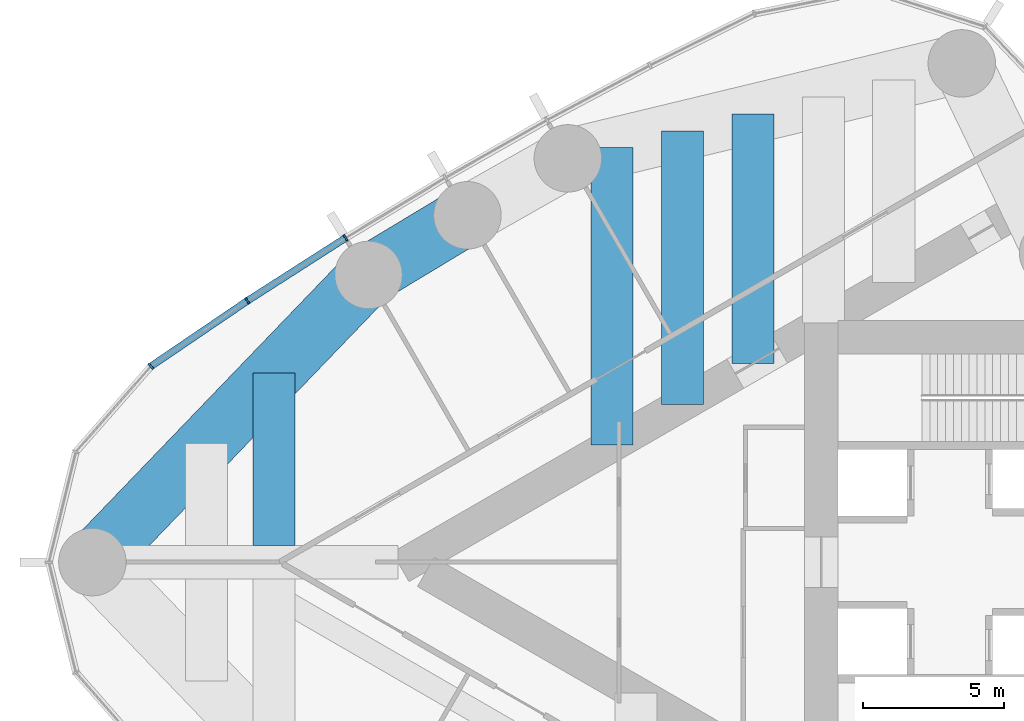
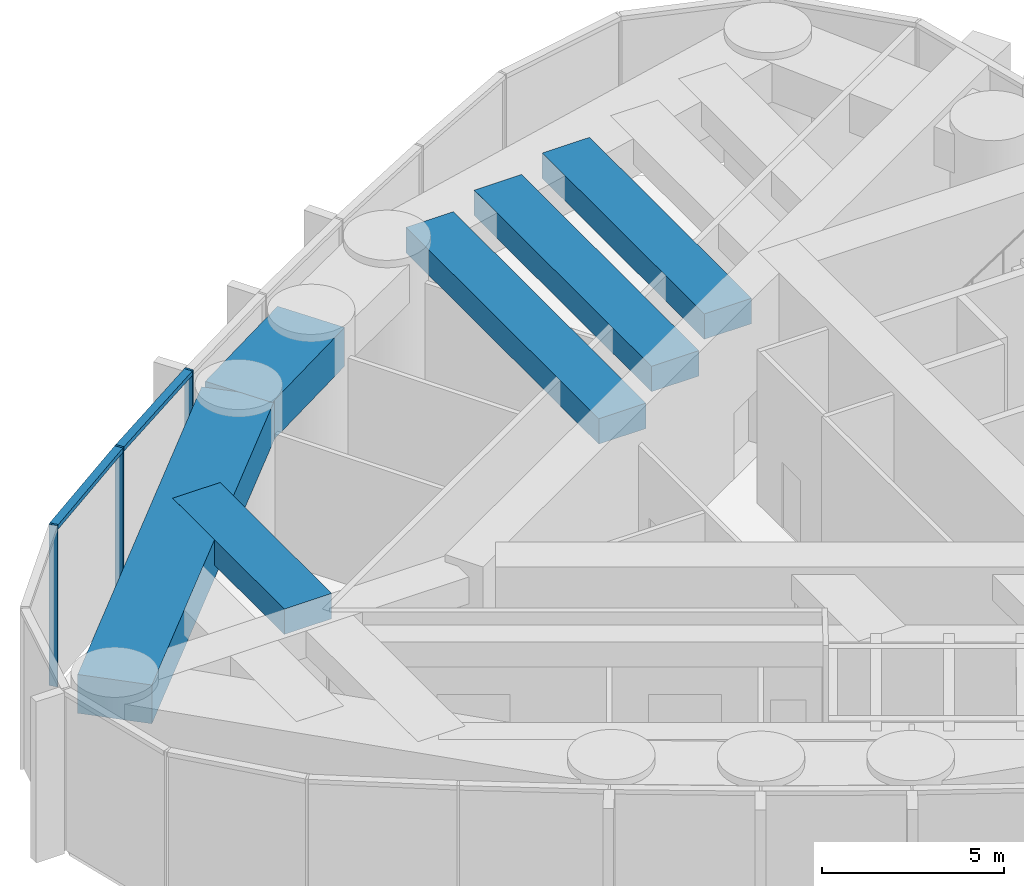
# One storey, part 4 of 21: 6 beams, 5 members, 1 element without a shape of its own.
"""IFC4 building model written with IfcOpenShell, lengths in metres."""

from ifc_helpers import new_model, si_unit, direction, frame, origin, origin_2d, place, context, subcontext, project, spatial, rectangle, extrude, material, material_profile, profile_set, type_object, element, aggregate, save


model = new_model("IFC4")

# Units and contexts
model_context = context("Model", 3, precision=1e-05, world=origin(), true_north=direction((0.0, 1.0)))
body_context = subcontext(model_context, "Body", "Model", "MODEL_VIEW")
ifc_project = project(units=[si_unit("LENGTHUNIT", "METRE"), si_unit("AREAUNIT", "SQUARE_METRE"), si_unit("VOLUMEUNIT", "CUBIC_METRE"), si_unit("PLANEANGLEUNIT", "RADIAN"), si_unit("MASSUNIT", "GRAM", prefix="KILO")], contexts=[model_context])

# Site, building, storey
site_placement = place(None, origin())
site = spatial("IfcSite", under=ifc_project, at=site_placement, CompositionType="ELEMENT")
building_placement = place(site_placement, origin())
building = spatial("IfcBuilding", under=site, at=building_placement, Name="Lancet Gate Hotel", CompositionType="ELEMENT")
storey_placement = place(building_placement, frame((0.0, 0.0, 251.89990234375)))
storey = spatial("IfcBuildingStorey", under=building, at=storey_placement, Name="L67", CompositionType="ELEMENT", Elevation=251.89990234375)

# Curtain wall, members
ifc_material_1 = material(Name="Aluminium curtain wall", Category="aluminium")
curtain_wall_type = type_object("IfcCurtainWallType", Name="Sky deck full-height glazing", PredefinedType="USERDEFINED", material=ifc_material_1)
curtain_wall_placement = place(storey_placement, origin())
curtain_wall = element("IfcCurtainWall", 1, at=curtain_wall_placement, inside=storey, type_object=curtain_wall_type, Name="T1 L67 curtain wall 1", ObjectType="UNITISED CURTAIN WALL", PredefinedType="USERDEFINED")
ifc_material_2 = material(Name="Aluminium mullion", Category="aluminium")
ifc_material_profile_1 = material_profile(ifc_material_2, rectangle(XDim=0.06494140625, YDim=0.25, at=origin_2d()), Name="MULLION 65x250")
ifc_profile_set_1 = profile_set([ifc_material_profile_1], Name="Aluminium mullion")
member_type_1 = type_object("IfcMemberType", Name="Aluminium mullion 65x250", PredefinedType="MULLION", material=ifc_profile_set_1)
member_1_placement = place(storey_placement, frame((-54.225830078125, 11.535400390625, 0.0), z_axis=(0.0, 0.0, 1.0), x_axis=(-0.849342388216, -0.527842313176, 0.0)))
member_1 = element("IfcMember", 2, at=member_1_placement, type_object=member_type_1, Name="T1 L67 curtain wall 1 mullion 9", PredefinedType="MULLION", context=body_context, shape_type="SweptSolid", body=[
    extrude(rectangle(XDim=0.06494140625, YDim=0.25, at=origin_2d()), origin(), (0.0, 0.0, 1.0), 5.400146484375),
])
member_2_placement = place(storey_placement, frame((-57.72021484375, 9.298095703125, 0.0), z_axis=(0.0, 0.0, 1.0), x_axis=(-0.834827178542, -0.550512108829, 0.0)))
member_2 = element("IfcMember", 3, at=member_2_placement, type_object=member_type_1, Name="T1 L67 curtain wall 1 mullion 10", PredefinedType="MULLION", context=body_context, shape_type="SweptSolid", body=[
    extrude(rectangle(XDim=0.06494140625, YDim=0.25, at=origin_2d()), origin(), (0.0, 0.0, 1.0), 5.400146484375),
])
member_3_placement = place(storey_placement, frame((-61.15283203125, 6.967529296875, 0.0), z_axis=(0.0, 0.0, 1.0), x_axis=(-0.750715604757, -0.660625522345, 0.0)))
member_3 = element("IfcMember", 4, at=member_3_placement, type_object=member_type_1, Name="T1 L67 curtain wall 1 mullion 11", PredefinedType="MULLION", context=body_context, shape_type="SweptSolid", body=[
    extrude(rectangle(XDim=0.06494140625, YDim=0.25, at=origin_2d()), origin(), (0.0, 0.0, 1.0), 5.400146484375),
])
ifc_material_3 = material(Name="Aluminium transom", Category="aluminium")
ifc_material_profile_2 = material_profile(ifc_material_3, rectangle(XDim=0.25, YDim=0.14990234375, at=origin_2d()), Name="TRANSOM 250x150")
ifc_profile_set_2 = profile_set([ifc_material_profile_2], Name="Aluminium transom")
member_type_2 = type_object("IfcMemberType", Name="Aluminium transom 250x150", PredefinedType="USERDEFINED", material=ifc_profile_set_2)
member_4_placement = place(storey_placement, frame((-54.253173828125, 11.51806640625, 5.3251953125), z_axis=(-0.842144358733, -0.539252147937, 0.0), x_axis=(0.539252147937, -0.842144358733, 0.0)))
member_4 = element("IfcMember", 5, at=member_4_placement, type_object=member_type_2, Name="T1 L67 curtain wall 1 transom 9", ObjectType="TRANSOM", PredefinedType="USERDEFINED", context=body_context, shape_type="SweptSolid", body=[
    extrude(rectangle(XDim=0.25, YDim=0.14990234375, at=origin_2d()), origin(), (0.0, 0.0, 1.0), 4.084228515625),
])
member_5_placement = place(storey_placement, frame((-57.7470703125, 9.27978515625, 5.3251953125), z_axis=(-0.827348780456, -0.561688521761, 0.0), x_axis=(0.561688521761, -0.827348780456, 0.0)))
member_5 = element("IfcMember", 6, at=member_5_placement, type_object=member_type_2, Name="T1 L67 curtain wall 1 transom 10", ObjectType="TRANSOM", PredefinedType="USERDEFINED", context=body_context, shape_type="SweptSolid", body=[
    extrude(rectangle(XDim=0.25, YDim=0.14990234375, at=origin_2d()), origin(), (0.0, 0.0, 1.0), 4.083984375),
])
aggregate(curtain_wall, [member_1, member_2, member_3, member_4, member_5])

# Beams
ifc_material_4 = material(Name="Concrete C50/60", Category="concrete")
ifc_material_profile_3 = material_profile(ifc_material_4, rectangle(XDim=2.10009765625, YDim=1.300048828125, at=origin_2d()), Name="RC 2100x1300")
ifc_profile_set_3 = profile_set([ifc_material_profile_3], Name="Concrete C50/60")
beam_type_1 = type_object("IfcBeamType", Name="Edge beam RC 2100x1300", PredefinedType="SPANDREL", material=ifc_profile_set_3)
beam_1_placement = place(storey_placement, frame((-49.89013671875, 12.340087890625, 4.5), z_axis=(-0.856358061538, -0.516382484636, 0.0), x_axis=(0.516382484636, -0.856358061538, 0.0)))
element("IfcBeam", 7, at=beam_1_placement, inside=storey, type_object=beam_type_1, Name="T1 edge beam EB1 L67", PredefinedType="SPANDREL", context=body_context, shape_type="SweptSolid", body=[
    extrude(rectangle(XDim=2.10009765625, YDim=1.300048828125, at=origin_2d()), origin(), (0.0, 0.0, 1.0), 4.107666015625),
])
beam_2_placement = place(storey_placement, frame((-53.40771484375, 10.218994140625, 4.5), z_axis=(-0.693134527053, -0.720808245934, 0.0), x_axis=(0.720808245934, -0.693134527053, 0.0)))
element("IfcBeam", 8, at=beam_2_placement, inside=storey, type_object=beam_type_1, Name="T1 edge beam EB1 L67", PredefinedType="SPANDREL", context=body_context, shape_type="SweptSolid", body=[
    extrude(rectangle(XDim=2.10009765625, YDim=1.300048828125, at=origin_2d()), origin(), (0.0, 0.0, 1.0), 14.17724609375),
])
ifc_material_5 = material(Name="Concrete C50/60", Category="concrete")
ifc_material_profile_4 = material_profile(ifc_material_5, rectangle(XDim=1.5, YDim=0.85009765625, at=origin_2d()), Name="RC 1500x850")
ifc_profile_set_4 = profile_set([ifc_material_profile_4], Name="Concrete C50/60")
beam_type_2 = type_object("IfcBeamType", Name="Floor beam RC 1500x850", PredefinedType="BEAM", material=ifc_profile_set_4)
beam_3_placement = place(storey_placement, frame((-39.734130859375, 15.952880859375, 4.72509765625), z_axis=(0.0, -1.0, 0.0), x_axis=(1.0, 0.0, 0.0)))
element("IfcBeam", 9, at=beam_3_placement, inside=storey, type_object=beam_type_2, Name="T1 floor beam F05S L67", PredefinedType="BEAM", context=body_context, shape_type="SweptSolid", body=[
    extrude(rectangle(XDim=1.5, YDim=0.85009765625, at=origin_2d()), origin(), (0.0, 0.0, 1.0), 8.889404296875),
])
beam_4_placement = place(storey_placement, frame((-42.240966796875, 15.348388671875, 4.72509765625), z_axis=(0.0, -1.0, 0.0), x_axis=(1.0, 0.0, 0.0)))
element("IfcBeam", 10, at=beam_4_placement, inside=storey, type_object=beam_type_2, Name="T1 floor beam F06S L67", PredefinedType="BEAM", context=body_context, shape_type="SweptSolid", body=[
    extrude(rectangle(XDim=1.5, YDim=0.85009765625, at=origin_2d()), origin(), (0.0, 0.0, 1.0), 9.732421875),
])
beam_5_placement = place(storey_placement, frame((-44.747802734375, 14.743896484375, 4.72509765625), z_axis=(0.0, -1.0, 0.0), x_axis=(1.0, 0.0, 0.0)))
element("IfcBeam", 11, at=beam_5_placement, inside=storey, type_object=beam_type_2, Name="T1 floor beam F08S L67", PredefinedType="BEAM", context=body_context, shape_type="SweptSolid", body=[
    extrude(rectangle(XDim=1.5, YDim=0.85009765625, at=origin_2d()), origin(), (0.0, 0.0, 1.0), 10.5751953125),
])
beam_6_placement = place(storey_placement, frame((-56.768310546875, 6.72412109375, 4.72509765625), z_axis=(0.0, -1.0, 0.0), x_axis=(1.0, 0.0, 0.0)))
element("IfcBeam", 12, at=beam_6_placement, inside=storey, type_object=beam_type_2, Name="T1 floor beam F09S L67", PredefinedType="BEAM", context=body_context, shape_type="SweptSolid", body=[
    extrude(rectangle(XDim=1.5, YDim=0.85009765625, at=origin_2d()), origin(), (0.0, 0.0, 1.0), 6.1240234375),
])

save(model, "model.ifc")
